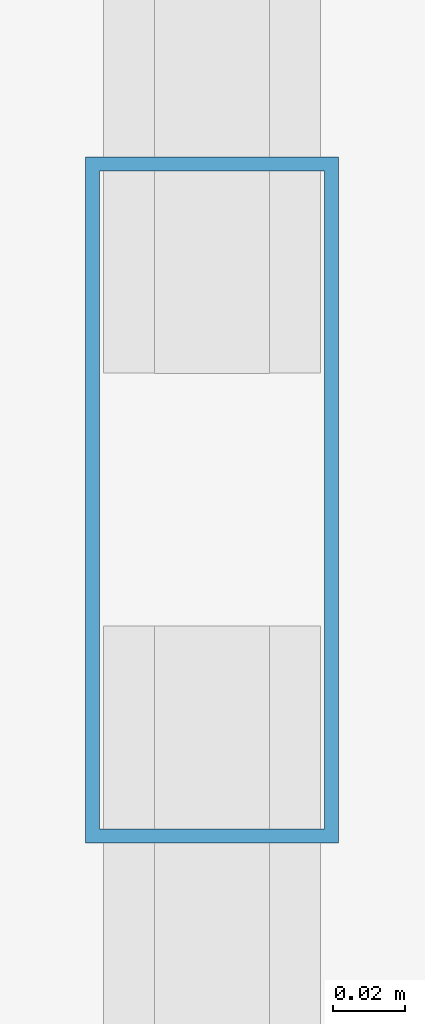
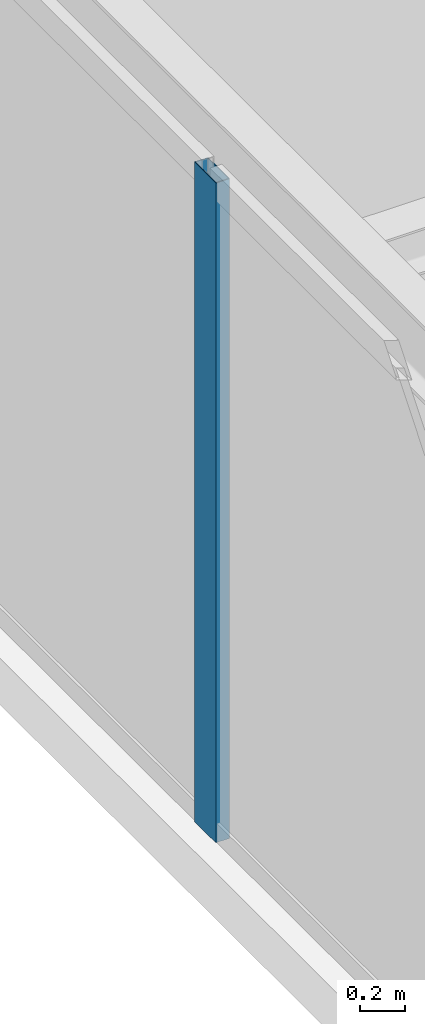
# One storey, part 10 of 32: 1 member, 1 element without a shape of its own.
"""IFC4 building model written with IfcOpenShell, lengths in metres."""

from ifc_helpers import new_model, si_unit, direction, frame, origin, origin_2d, place, context, subcontext, project, spatial, hollow_rectangle, extrude, source, transform, mapped, material, layer, layer_set, material_profile, profile_set, type_object, type_shapes, element, aggregate, save


model = new_model("IFC4")

# Units and contexts
model_context = context("Model", 3, precision=1e-05, world=origin(), true_north=direction((0.0, 1.0)))
body_context = subcontext(model_context, "Body", "Model", "MODEL_VIEW")
ifc_project = project(units=[si_unit("LENGTHUNIT", "METRE"), si_unit("AREAUNIT", "SQUARE_METRE"), si_unit("VOLUMEUNIT", "CUBIC_METRE"), si_unit("PLANEANGLEUNIT", "RADIAN"), si_unit("MASSUNIT", "GRAM", prefix="KILO")], contexts=[model_context])

# Site, building, storey
site_placement = place(None, origin())
site = spatial("IfcSite", under=ifc_project, at=site_placement, CompositionType="ELEMENT")
building_placement = place(site_placement, origin())
building = spatial("IfcBuilding", under=site, at=building_placement, Name="Varnel Quay Broadcast Tower", CompositionType="ELEMENT")
storey_placement = place(building_placement, frame((0.0, 0.0, 133.39990234375)))
storey = spatial("IfcBuildingStorey", under=building, at=storey_placement, Name="L32", CompositionType="ELEMENT", Elevation=133.39990234375)

# Curtain wall, member
ifc_material = material(Name="Anodised Bronze Aluminium 6063-T6", Category="aluminium")
ifc_layer = layer(ifc_material, 0.18994140625, Name="Anodised Bronze Aluminium 6063-T6")
ifc_layer_set = layer_set([ifc_layer], Name="Anodised Bronze Aluminium 6063-T6")
curtain_wall_type = type_object("IfcCurtainWallType", Name="CW_LowerTower", PredefinedType="NOTDEFINED", material=ifc_layer_set)
curtain_wall_placement = place(storey_placement, origin())
curtain_wall = element("IfcCurtainWall", 1, at=curtain_wall_placement, inside=storey, type_object=curtain_wall_type, Name="L32 West Unitised Curtain Wall", PredefinedType="NOTDEFINED")
ifc_material_profile = material_profile(ifc_material, hollow_rectangle(XDim=0.070068359375, YDim=0.18994140625, WallThickness=0.00390625, at=origin_2d()), Name="ALU70X190X4")
ifc_profile_set = profile_set([ifc_material_profile], Name="Anodised Bronze Aluminium 6063-T6")
member_type = type_object("IfcMemberType", Name="Mull_CWS-02", PredefinedType="MULLION", material=ifc_profile_set)
shared_shape = source(origin(), body_context, "Body", "SweptSolid", [
    extrude(hollow_rectangle(XDim=0.070068359375, YDim=0.18994140625, WallThickness=0.00390625, at=origin_2d()), origin(), (0.0, 0.0, 1.0), 3.550048828125),
])
type_shapes(member_type, [shared_shape])
member_placement = place(storey_placement, frame((4.64990234375, 31.39990234375, 0.0), z_axis=(0.0, 0.0, 1.0), x_axis=(-1.0, 0.0, 0.0)))
member = element("IfcMember", 2, at=member_placement, type_object=member_type, Name="CWS-02 mullion 3", PredefinedType="MULLION", context=body_context, shape_type="MappedRepresentation", body=[
    mapped(shared_shape, transform((0.0, 0.0, 0.0), x_axis=(1.0, 0.0, 0.0), y_axis=(0.0, 1.0, 0.0), z_axis=(0.0, 0.0, 1.0), scale=1.0)),
])
aggregate(curtain_wall, [member])

save(model, "model.ifc")
